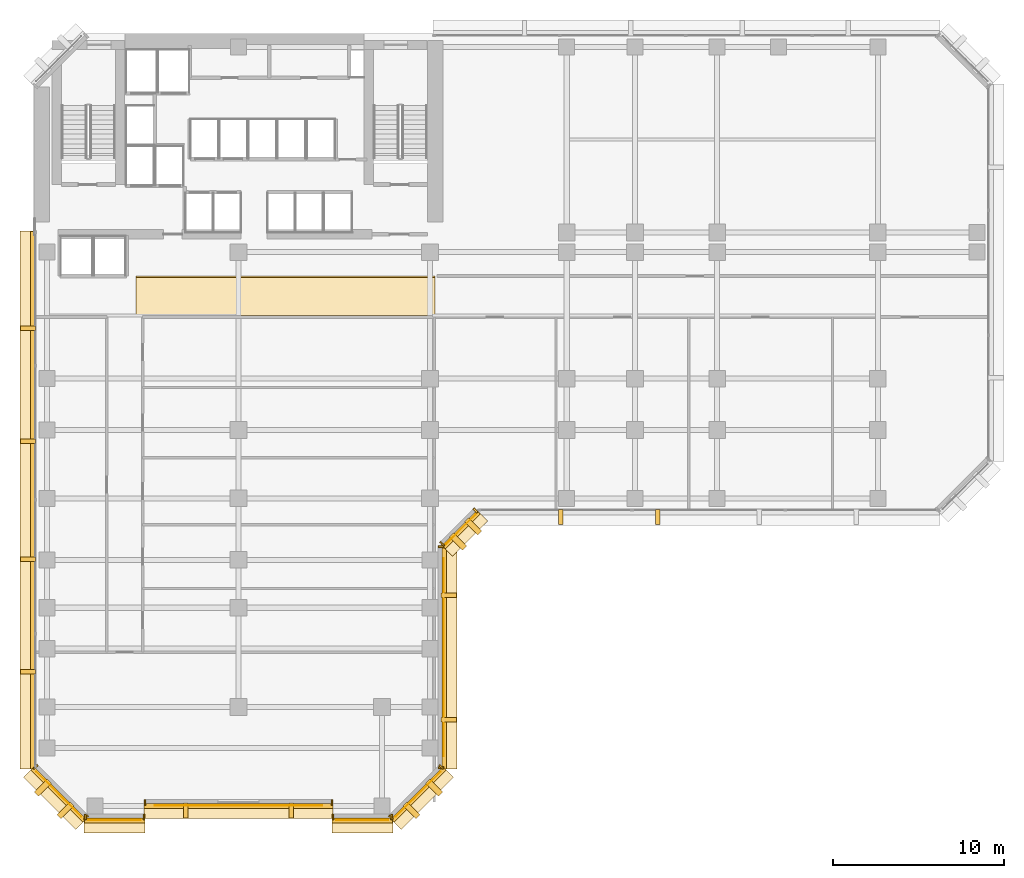
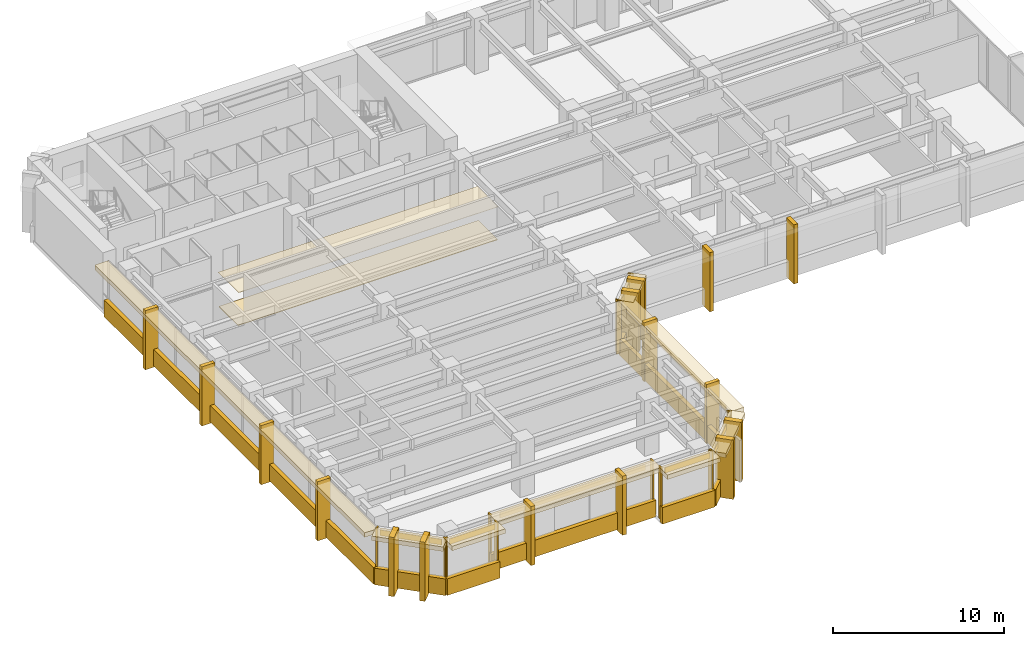
# One storey, part 9 of 13: 55 coverings.
"""IFC4 building model written with IfcOpenShell, lengths in metres."""

from ifc_helpers import new_model, si_unit, direction, frame, origin, origin_2d, place, context, subcontext, project, spatial, polyline, rectangle, outline, extrude, material, layer, layer_set, type_object, element, save


model = new_model("IFC4")

# Units and contexts
model_context = context("Model", 3, precision=1e-05, world=origin(), true_north=direction((0.0, 1.0)))
body_context = subcontext(model_context, "Body", "Model", "MODEL_VIEW")
ifc_project = project(units=[si_unit("LENGTHUNIT", "METRE"), si_unit("AREAUNIT", "SQUARE_METRE"), si_unit("VOLUMEUNIT", "CUBIC_METRE"), si_unit("PLANEANGLEUNIT", "RADIAN"), si_unit("MASSUNIT", "GRAM", prefix="KILO")], contexts=[model_context])

# Site, building, storey
site_placement = place(None, origin())
site = spatial("IfcSite", under=ifc_project, at=site_placement, CompositionType="ELEMENT")
building_placement = place(site_placement, origin())
building = spatial("IfcBuilding", under=site, at=building_placement, Name="Kefirva Bronze Tower", CompositionType="ELEMENT")
storey_placement = place(building_placement, frame((0.0, 0.0, 77.8798828125)))
storey = spatial("IfcBuildingStorey", under=building, at=storey_placement, Name="L18", CompositionType="ELEMENT", Elevation=77.8798828125)

# Coverings
ifc_material_1 = material(Name="Acoustic mineral tile")
ifc_layer_1 = layer(ifc_material_1, 0.02490234375, Name="Acoustic mineral tile")
ifc_layer_set_1 = layer_set([ifc_layer_1], Name="Acoustic mineral tile")
covering_type_1 = type_object("IfcCoveringType", Name="Acoustic Mineral Suspended Ceiling 25mm", PredefinedType="CEILING", material=ifc_layer_set_1)
covering_1_placement = place(storey_placement, frame((0.0, 0.0, 2.400146484375)))
element("IfcCovering", 1, at=covering_1_placement, inside=storey, type_object=covering_type_1, Name="L18 Corridor Acoustic Ceiling", PredefinedType="CEILING", context=body_context, shape_type="SweptSolid", body=[
    extrude(outline(polyline([(6.0, 29.39990234375), (23.5, 29.39990234375), (23.5, 31.800048828125), (6.0, 31.800048828125), (6.0, 29.39990234375)])), origin(), (0.0, 0.0, 1.0), 0.02490234375),
])
ifc_material_2 = material(Name="Bronze anodised aluminium", Category="aluminium")
ifc_layer_2 = layer(ifc_material_2, 0.02001953125, Name="Bronze anodised aluminium")
ifc_layer_set_2 = layer_set([ifc_layer_2], Name="Bronze anodised aluminium")
covering_type_2 = type_object("IfcCoveringType", Name="Anodised Bronze Spandrel Cladding 20mm", PredefinedType="CLADDING", material=ifc_layer_set_2)
covering_2_placement = place(storey_placement, frame((4.75, -0.010009765625, 3.290283203125), z_axis=(0.0, 0.0, 1.0), x_axis=(1.0, 0.0, 0.0)))
element("IfcCovering", 2, at=covering_2_placement, inside=storey, type_object=covering_type_2, Name="L18 Bronze Spandrel Cladding 1", PredefinedType="CLADDING", context=body_context, shape_type="SweptSolid", body=[
    extrude(rectangle(XDim=3.051025390625, YDim=0.02001953125, at=origin_2d()), origin(), (0.0, 0.0, 1.0), 0.39990234375),
])
for number, where, z_axis, x_axis, name in (
    (3, (3.034912109375, 0.159912109375, 0.000244140625), (0.0, 0.0, 1.0), (1.0, 0.0, 0.0), "L18 Facade Joint Closure Panel 1S"),
    (4, (6.465087890625, 0.159912109375, 0.000244140625), (0.0, 0.0, 1.0), (1.0, 0.0, 0.0), "L18 Facade Joint Closure Panel 1E"),
):
    element("IfcCovering", number, at=place(storey_placement, frame(where, z_axis=z_axis, x_axis=x_axis)), inside=storey, type_object=covering_type_2, Name=name, PredefinedType="CLADDING", context=body_context, shape_type="SweptSolid", body=[
        extrude(rectangle(XDim=0.10009765625, YDim=0.320068359375, at=origin_2d()), origin(), (0.0, 0.0, 1.0), 3.7099609375),
    ])
covering_3_placement = place(storey_placement, frame((4.75, -0.0400390625, -0.15966796875), z_axis=(0.0, 0.0, 1.0), x_axis=(1.0, 0.0, 0.0)))
element("IfcCovering", 5, at=covering_3_placement, inside=storey, type_object=covering_type_2, Name="L18 Streamline Horizontal Spandrel Band 0", PredefinedType="CLADDING", context=body_context, shape_type="SweptSolid", body=[
    extrude(rectangle(XDim=3.5400390625, YDim=0.280029296875, at=origin_2d()), origin(), (0.0, 0.0, 1.0), 1.179931640625),
])
covering_4_placement = place(storey_placement, frame((12.0, 0.840087890625, 3.290283203125), z_axis=(0.0, 0.0, 1.0), x_axis=(1.0, 0.0, 0.0)))
element("IfcCovering", 6, at=covering_4_placement, inside=storey, type_object=covering_type_2, Name="L18 Bronze Spandrel Cladding 2", PredefinedType="CLADDING", context=body_context, shape_type="SweptSolid", body=[
    extrude(rectangle(XDim=9.801025390625, YDim=0.02001953125, at=origin_2d()), origin(), (0.0, 0.0, 1.0), 0.39990234375),
])
for number, where, z_axis, x_axis, name in (
    (7, (6.534912109375, 1.010009765625, 0.000244140625), (0.0, 0.0, 1.0), (1.0, 0.0, 0.0), "L18 Facade Joint Closure Panel 2S"),
    (8, (17.465087890625, 1.010009765625, 0.000244140625), (0.0, 0.0, 1.0), (1.0, 0.0, 0.0), "L18 Facade Joint Closure Panel 2E"),
):
    element("IfcCovering", number, at=place(storey_placement, frame(where, z_axis=z_axis, x_axis=x_axis)), inside=storey, type_object=covering_type_2, Name=name, PredefinedType="CLADDING", context=body_context, shape_type="SweptSolid", body=[
        extrude(rectangle(XDim=0.10009765625, YDim=0.320068359375, at=origin_2d()), origin(), (0.0, 0.0, 1.0), 3.7099609375),
    ])
covering_5_placement = place(storey_placement, frame((12.0, 0.81005859375, -0.15966796875), z_axis=(0.0, 0.0, 1.0), x_axis=(1.0, 0.0, 0.0)))
element("IfcCovering", 9, at=covering_5_placement, inside=storey, type_object=covering_type_2, Name="L18 Streamline Horizontal Spandrel Band 2", PredefinedType="CLADDING", context=body_context, shape_type="SweptSolid", body=[
    extrude(rectangle(XDim=11.0400390625, YDim=0.280029296875, at=origin_2d()), origin(), (0.0, 0.0, 1.0), 1.179931640625),
])
covering_6_placement = place(storey_placement, frame((19.25, -0.010009765625, 3.290283203125), z_axis=(0.0, 0.0, 1.0), x_axis=(1.0, 0.0, 0.0)))
element("IfcCovering", 10, at=covering_6_placement, inside=storey, type_object=covering_type_2, Name="L18 Bronze Spandrel Cladding 3", PredefinedType="CLADDING", context=body_context, shape_type="SweptSolid", body=[
    extrude(rectangle(XDim=3.051025390625, YDim=0.02001953125, at=origin_2d()), origin(), (0.0, 0.0, 1.0), 0.39990234375),
])
for number, where, z_axis, x_axis, name in (
    (11, (17.534912109375, 0.159912109375, 0.000244140625), (0.0, 0.0, 1.0), (1.0, 0.0, 0.0), "L18 Facade Joint Closure Panel 3S"),
    (12, (20.965087890625, 0.159912109375, 0.000244140625), (0.0, 0.0, 1.0), (1.0, 0.0, 0.0), "L18 Facade Joint Closure Panel 3E"),
):
    element("IfcCovering", number, at=place(storey_placement, frame(where, z_axis=z_axis, x_axis=x_axis)), inside=storey, type_object=covering_type_2, Name=name, PredefinedType="CLADDING", context=body_context, shape_type="SweptSolid", body=[
        extrude(rectangle(XDim=0.10009765625, YDim=0.320068359375, at=origin_2d()), origin(), (0.0, 0.0, 1.0), 3.7099609375),
    ])
covering_7_placement = place(storey_placement, frame((19.25, -0.0400390625, -0.15966796875), z_axis=(0.0, 0.0, 1.0), x_axis=(1.0, 0.0, 0.0)))
element("IfcCovering", 13, at=covering_7_placement, inside=storey, type_object=covering_type_2, Name="L18 Streamline Horizontal Spandrel Band 4", PredefinedType="CLADDING", context=body_context, shape_type="SweptSolid", body=[
    extrude(rectangle(XDim=3.5400390625, YDim=0.280029296875, at=origin_2d()), origin(), (0.0, 0.0, 1.0), 1.179931640625),
])
covering_8_placement = place(storey_placement, frame((22.507080078125, 1.492919921875, 3.290283203125), z_axis=(0.0, 0.0, 1.0), x_axis=(0.707106781187, 0.707106781187, 0.0)))
element("IfcCovering", 14, at=covering_8_placement, inside=storey, type_object=covering_type_2, Name="L18 Bronze Spandrel Cladding 4", PredefinedType="CLADDING", context=body_context, shape_type="SweptSolid", body=[
    extrude(rectangle(XDim=3.719482421875, YDim=0.02001953125, at=origin_2d()), origin(), (0.0, 0.0, 1.0), 0.39990234375),
])
for number, where, z_axis, x_axis, name in (
    (15, (20.91162109375, 0.137939453125, 0.000244140625), (0.0, 0.0, 1.0), (0.707106781187, 0.707106781187, 0.0), "L18 Facade Joint Closure Panel 4S"),
    (16, (23.862060546875, 3.08837890625, 0.000244140625), (0.0, 0.0, 1.0), (0.707106781187, 0.707106781187, 0.0), "L18 Facade Joint Closure Panel 4E"),
):
    element("IfcCovering", number, at=place(storey_placement, frame(where, z_axis=z_axis, x_axis=x_axis)), inside=storey, type_object=covering_type_2, Name=name, PredefinedType="CLADDING", context=body_context, shape_type="SweptSolid", body=[
        extrude(rectangle(XDim=0.10009765625, YDim=0.320068359375, at=origin_2d()), origin(), (0.0, 0.0, 1.0), 3.7099609375),
    ])
covering_9_placement = place(storey_placement, frame((22.5283203125, 1.4716796875, -0.15966796875), z_axis=(0.0, 0.0, 1.0), x_axis=(0.707106781187, 0.707106781187, 0.0)))
element("IfcCovering", 17, at=covering_9_placement, inside=storey, type_object=covering_type_2, Name="L18 Streamline Horizontal Spandrel Band 5", PredefinedType="CLADDING", context=body_context, shape_type="SweptSolid", body=[
    extrude(rectangle(XDim=4.28271484375, YDim=0.280029296875, at=origin_2d()), origin(), (0.0, 0.0, 1.0), 1.179931640625),
])
covering_10_placement = place(storey_placement, frame((24.010009765625, 9.5, 3.290283203125), z_axis=(0.0, 0.0, 1.0), x_axis=(0.0, 1.0, 0.0)))
element("IfcCovering", 18, at=covering_10_placement, inside=storey, type_object=covering_type_2, Name="L18 Bronze Spandrel Cladding 5", PredefinedType="CLADDING", context=body_context, shape_type="SweptSolid", body=[
    extrude(rectangle(XDim=11.60107421875, YDim=0.02001953125, at=origin_2d()), origin(), (0.0, 0.0, 1.0), 0.39990234375),
])
for number, where, z_axis, x_axis, name in (
    (19, (23.840087890625, 3.034912109375, 0.000244140625), (0.0, 0.0, 1.0), (0.0, 1.0, 0.0), "L18 Facade Joint Closure Panel 5S"),
    (20, (23.840087890625, 15.965087890625, 0.000244140625), (0.0, 0.0, 1.0), (0.0, 1.0, 0.0), "L18 Facade Joint Closure Panel 5E"),
):
    element("IfcCovering", number, at=place(storey_placement, frame(where, z_axis=z_axis, x_axis=x_axis)), inside=storey, type_object=covering_type_2, Name=name, PredefinedType="CLADDING", context=body_context, shape_type="SweptSolid", body=[
        extrude(rectangle(XDim=0.10009765625, YDim=0.320068359375, at=origin_2d()), origin(), (0.0, 0.0, 1.0), 3.7099609375),
    ])
covering_11_placement = place(storey_placement, frame((24.0400390625, 9.5, -0.15966796875), z_axis=(0.0, 0.0, 1.0), x_axis=(0.0, 1.0, 0.0)))
element("IfcCovering", 21, at=covering_11_placement, inside=storey, type_object=covering_type_2, Name="L18 Streamline Horizontal Spandrel Band 6", PredefinedType="CLADDING", context=body_context, shape_type="SweptSolid", body=[
    extrude(rectangle(XDim=13.0400390625, YDim=0.280029296875, at=origin_2d()), origin(), (0.0, 0.0, 1.0), 1.179931640625),
])
covering_12_placement = place(storey_placement, frame((25.007080078125, 16.992919921875, 3.290283203125), z_axis=(0.0, 0.0, 1.0), x_axis=(0.707106781187, 0.707106781187, 0.0)))
element("IfcCovering", 22, at=covering_12_placement, inside=storey, type_object=covering_type_2, Name="L18 Bronze Spandrel Cladding 6", PredefinedType="CLADDING", context=body_context, shape_type="SweptSolid", body=[
    extrude(rectangle(XDim=2.446533203125, YDim=0.02001953125, at=origin_2d()), origin(), (0.0, 0.0, 1.0), 0.39990234375),
])
for number, where, z_axis, x_axis, name in (
    (23, (23.91162109375, 16.137939453125, 0.000244140625), (0.0, 0.0, 1.0), (0.707106781187, 0.707106781187, 0.0), "L18 Facade Joint Closure Panel 6S"),
    (24, (25.862060546875, 18.08837890625, 0.000244140625), (0.0, 0.0, 1.0), (0.707106781187, 0.707106781187, 0.0), "L18 Facade Joint Closure Panel 6E"),
):
    element("IfcCovering", number, at=place(storey_placement, frame(where, z_axis=z_axis, x_axis=x_axis)), inside=storey, type_object=covering_type_2, Name=name, PredefinedType="CLADDING", context=body_context, shape_type="SweptSolid", body=[
        extrude(rectangle(XDim=0.10009765625, YDim=0.320068359375, at=origin_2d()), origin(), (0.0, 0.0, 1.0), 3.7099609375),
    ])
covering_13_placement = place(storey_placement, frame((25.0283203125, 16.9716796875, -0.15966796875), z_axis=(0.0, 0.0, 1.0), x_axis=(0.707106781187, 0.707106781187, 0.0)))
element("IfcCovering", 25, at=covering_13_placement, inside=storey, type_object=covering_type_2, Name="L18 Streamline Horizontal Spandrel Band 7", PredefinedType="CLADDING", context=body_context, shape_type="SweptSolid", body=[
    extrude(rectangle(XDim=2.868408203125, YDim=0.280029296875, at=origin_2d()), origin(), (0.0, 0.0, 1.0), 1.179931640625),
])
covering_14_placement = place(storey_placement, frame((-0.0400390625, 18.697509765625, -0.15966796875), z_axis=(0.0, 0.0, 1.0), x_axis=(0.0, -1.0, 0.0)))
element("IfcCovering", 26, at=covering_14_placement, inside=storey, type_object=covering_type_2, Name="L18 Streamline Horizontal Spandrel Band 14", PredefinedType="CLADDING", context=body_context, shape_type="SweptSolid", body=[
    extrude(rectangle(XDim=31.43505859375, YDim=0.280029296875, at=origin_2d()), origin(), (0.0, 0.0, 1.0), 1.179931640625),
])
covering_15_placement = place(storey_placement, frame((1.492919921875, 1.492919921875, 3.290283203125), z_axis=(0.0, 0.0, 1.0), x_axis=(0.707106781187, -0.707106781187, 0.0)))
element("IfcCovering", 27, at=covering_15_placement, inside=storey, type_object=covering_type_2, Name="L18 Bronze Spandrel Cladding 10", PredefinedType="CLADDING", context=body_context, shape_type="SweptSolid", body=[
    extrude(rectangle(XDim=3.719482421875, YDim=0.02001953125, at=origin_2d()), origin(), (0.0, 0.0, 1.0), 0.39990234375),
])
for number, where, z_axis, x_axis, name in (
    (28, (0.137939453125, 3.08837890625, 0.000244140625), (0.0, 0.0, 1.0), (0.707106781187, -0.707106781187, 0.0), "L18 Facade Joint Closure Panel 10S"),
    (29, (3.08837890625, 0.137939453125, 0.000244140625), (0.0, 0.0, 1.0), (0.707106781187, -0.707106781187, 0.0), "L18 Facade Joint Closure Panel 10E"),
):
    element("IfcCovering", number, at=place(storey_placement, frame(where, z_axis=z_axis, x_axis=x_axis)), inside=storey, type_object=covering_type_2, Name=name, PredefinedType="CLADDING", context=body_context, shape_type="SweptSolid", body=[
        extrude(rectangle(XDim=0.10009765625, YDim=0.320068359375, at=origin_2d()), origin(), (0.0, 0.0, 1.0), 3.7099609375),
    ])
covering_16_placement = place(storey_placement, frame((1.4716796875, 1.4716796875, -0.15966796875), z_axis=(0.0, 0.0, 1.0), x_axis=(0.707106781187, -0.707106781187, 0.0)))
element("IfcCovering", 30, at=covering_16_placement, inside=storey, type_object=covering_type_2, Name="L18 Streamline Horizontal Spandrel Band 15", PredefinedType="CLADDING", context=body_context, shape_type="SweptSolid", body=[
    extrude(rectangle(XDim=4.28271484375, YDim=0.280029296875, at=origin_2d()), origin(), (0.0, 0.0, 1.0), 1.179931640625),
])
ifc_material_3 = material(Name="Calcium sulphate access tile")
ifc_layer_3 = layer(ifc_material_3, 0.044921875, Name="Calcium sulphate access tile")
ifc_layer_set_3 = layer_set([ifc_layer_3], Name="Calcium sulphate access tile")
covering_type_3 = type_object("IfcCoveringType", Name="Raised Access Office Flooring 45mm", PredefinedType="FLOORING", material=ifc_layer_set_3)
covering_17_placement = place(storey_placement, origin())
element("IfcCovering", 31, at=covering_17_placement, inside=storey, type_object=covering_type_3, Name="L18 Architectural Finish Flooring", PredefinedType="FLOORING", context=body_context, shape_type="SweptSolid", body=[
    extrude(outline(polyline([(6.0, 29.47998046875), (23.5, 29.47998046875), (23.5, 31.719970703125), (6.0, 31.719970703125), (6.0, 29.47998046875)])), origin(), (0.0, 0.0, 1.0), 0.045166015625),
])
ifc_layer_4 = layer(ifc_material_2, 0.179931640625, Name="Bronze anodised aluminium")
ifc_layer_set_4 = layer_set([ifc_layer_4], Name="Bronze anodised aluminium")
covering_type_4 = type_object("IfcCoveringType", Name="Streamline Bronze Sunshade Eyebrow Cladding 180mm", PredefinedType="CLADDING", material=ifc_layer_set_4)
covering_18_placement = place(storey_placement, frame((4.75, -0.31005859375, 3.39013671875), z_axis=(0.0, 0.0, 1.0), x_axis=(1.0, 0.0, 0.0)))
element("IfcCovering", 32, at=covering_18_placement, inside=storey, type_object=covering_type_4, Name="L18 Streamline Bronze Sunshade Eyebrow 0", PredefinedType="CLADDING", context=body_context, shape_type="SweptSolid", body=[
    extrude(rectangle(XDim=3.580078125, YDim=0.93994140625, at=origin_2d()), origin(), (0.0, 0.0, 1.0), 0.320068359375),
])
covering_19_placement = place(storey_placement, frame((12.0, 0.5400390625, 3.39013671875), z_axis=(0.0, 0.0, 1.0), x_axis=(1.0, 0.0, 0.0)))
element("IfcCovering", 33, at=covering_19_placement, inside=storey, type_object=covering_type_4, Name="L18 Streamline Bronze Sunshade Eyebrow 2", PredefinedType="CLADDING", context=body_context, shape_type="SweptSolid", body=[
    extrude(rectangle(XDim=11.080078125, YDim=0.93994140625, at=origin_2d()), origin(), (0.0, 0.0, 1.0), 0.320068359375),
])
covering_20_placement = place(storey_placement, frame((19.25, -0.31005859375, 3.39013671875), z_axis=(0.0, 0.0, 1.0), x_axis=(1.0, 0.0, 0.0)))
element("IfcCovering", 34, at=covering_20_placement, inside=storey, type_object=covering_type_4, Name="L18 Streamline Bronze Sunshade Eyebrow 4", PredefinedType="CLADDING", context=body_context, shape_type="SweptSolid", body=[
    extrude(rectangle(XDim=3.580078125, YDim=0.93994140625, at=origin_2d()), origin(), (0.0, 0.0, 1.0), 0.320068359375),
])
covering_21_placement = place(storey_placement, frame((22.71923828125, 1.28076171875, 3.39013671875), z_axis=(0.0, 0.0, 1.0), x_axis=(0.707106781187, 0.707106781187, 0.0)))
element("IfcCovering", 35, at=covering_21_placement, inside=storey, type_object=covering_type_4, Name="L18 Streamline Bronze Sunshade Eyebrow 5", PredefinedType="CLADDING", context=body_context, shape_type="SweptSolid", body=[
    extrude(rectangle(XDim=4.322509765625, YDim=0.93994140625, at=origin_2d()), origin(), (0.0, 0.0, 1.0), 0.320068359375),
])
covering_22_placement = place(storey_placement, frame((24.31005859375, 9.5, 3.39013671875), z_axis=(0.0, 0.0, 1.0), x_axis=(0.0, 1.0, 0.0)))
element("IfcCovering", 36, at=covering_22_placement, inside=storey, type_object=covering_type_4, Name="L18 Streamline Bronze Sunshade Eyebrow 6", PredefinedType="CLADDING", context=body_context, shape_type="SweptSolid", body=[
    extrude(rectangle(XDim=13.080078125, YDim=0.93994140625, at=origin_2d()), origin(), (0.0, 0.0, 1.0), 0.320068359375),
])
covering_23_placement = place(storey_placement, frame((25.21923828125, 16.78076171875, 3.39013671875), z_axis=(0.0, 0.0, 1.0), x_axis=(0.707106781187, 0.707106781187, 0.0)))
element("IfcCovering", 37, at=covering_23_placement, inside=storey, type_object=covering_type_4, Name="L18 Streamline Bronze Sunshade Eyebrow 7", PredefinedType="CLADDING", context=body_context, shape_type="SweptSolid", body=[
    extrude(rectangle(XDim=2.908447265625, YDim=0.93994140625, at=origin_2d()), origin(), (0.0, 0.0, 1.0), 0.320068359375),
])
covering_24_placement = place(storey_placement, frame((-0.31005859375, 18.697509765625, 3.39013671875), z_axis=(0.0, 0.0, 1.0), x_axis=(0.0, -1.0, 0.0)))
element("IfcCovering", 38, at=covering_24_placement, inside=storey, type_object=covering_type_4, Name="L18 Streamline Bronze Sunshade Eyebrow 14", PredefinedType="CLADDING", context=body_context, shape_type="SweptSolid", body=[
    extrude(rectangle(XDim=31.47509765625, YDim=0.93994140625, at=origin_2d()), origin(), (0.0, 0.0, 1.0), 0.320068359375),
])
covering_25_placement = place(storey_placement, frame((1.28076171875, 1.28076171875, 3.39013671875), z_axis=(0.0, 0.0, 1.0), x_axis=(0.707106781187, -0.707106781187, 0.0)))
element("IfcCovering", 39, at=covering_25_placement, inside=storey, type_object=covering_type_4, Name="L18 Streamline Bronze Sunshade Eyebrow 15", PredefinedType="CLADDING", context=body_context, shape_type="SweptSolid", body=[
    extrude(rectangle(XDim=4.322509765625, YDim=0.93994140625, at=origin_2d()), origin(), (0.0, 0.0, 1.0), 0.320068359375),
])
ifc_layer_5 = layer(ifc_material_2, 0.260009765625, Name="Bronze anodised aluminium")
ifc_layer_set_5 = layer_set([ifc_layer_5], Name="Bronze anodised aluminium")
covering_type_5 = type_object("IfcCoveringType", Name="Unbroken Bronze Buttress Fin Cladding 260mm", PredefinedType="CLADDING", material=ifc_layer_set_5)
for number, where, z_axis, x_axis, name in (
    (40, (8.919921875, 0.550048828125, -0.249755859375), (0.0, 0.0, 1.0), (1.0, 0.0, 0.0), "L18 Unbroken Vertical Bronze Rib Fin 1"),
    (41, (15.080078125, 0.550048828125, -0.249755859375), (0.0, 0.0, 1.0), (1.0, 0.0, 0.0), "L18 Unbroken Vertical Bronze Rib Fin 2"),
):
    element("IfcCovering", number, at=place(storey_placement, frame(where, z_axis=z_axis, x_axis=x_axis)), inside=storey, type_object=covering_type_5, Name=name, PredefinedType="CLADDING", context=body_context, shape_type="SweptSolid", body=[
        extrude(rectangle(XDim=0.260009765625, YDim=0.8798828125, at=origin_2d()), origin(), (0.0, 0.0, 1.0), 4.2099609375),
    ])
for number, where, z_axis, x_axis, name in (
    (42, (22.122802734375, 0.55712890625, -0.249755859375), (0.0, 0.0, 1.0), (0.707106781187, 0.707106781187, 0.0), "L18 Chamfered Corner Buttress Fin Cladding 3"),
    (43, (23.44287109375, 1.877197265625, -0.249755859375), (0.0, 0.0, 1.0), (0.707106781187, 0.707106781187, 0.0), "L18 Chamfered Corner Buttress Fin Cladding 4"),
):
    element("IfcCovering", number, at=place(storey_placement, frame(where, z_axis=z_axis, x_axis=x_axis)), inside=storey, type_object=covering_type_5, Name=name, PredefinedType="CLADDING", context=body_context, shape_type="SweptSolid", body=[
        extrude(rectangle(XDim=0.340087890625, YDim=1.080078125, at=origin_2d()), origin(), (0.0, 0.0, 1.0), 4.2099609375),
    ])
for number, where, z_axis, x_axis, name in (
    (44, (24.300048828125, 5.860107421875, -0.249755859375), (0.0, 0.0, 1.0), (0.0, 1.0, 0.0), "L18 Unbroken Vertical Bronze Rib Fin 5"),
    (45, (24.300048828125, 13.139892578125, -0.249755859375), (0.0, 0.0, 1.0), (0.0, 1.0, 0.0), "L18 Unbroken Vertical Bronze Rib Fin 6"),
):
    element("IfcCovering", number, at=place(storey_placement, frame(where, z_axis=z_axis, x_axis=x_axis)), inside=storey, type_object=covering_type_5, Name=name, PredefinedType="CLADDING", context=body_context, shape_type="SweptSolid", body=[
        extrude(rectangle(XDim=0.260009765625, YDim=0.8798828125, at=origin_2d()), origin(), (0.0, 0.0, 1.0), 4.2099609375),
    ])
for number, where, z_axis, x_axis, name in (
    (46, (24.8427734375, 16.277099609375, -0.249755859375), (0.0, 0.0, 1.0), (0.707106781187, 0.707106781187, 0.0), "L18 Chamfered Corner Buttress Fin Cladding 7"),
    (47, (25.722900390625, 17.1572265625, -0.249755859375), (0.0, 0.0, 1.0), (0.707106781187, 0.707106781187, 0.0), "L18 Chamfered Corner Buttress Fin Cladding 8"),
):
    element("IfcCovering", number, at=place(storey_placement, frame(where, z_axis=z_axis, x_axis=x_axis)), inside=storey, type_object=covering_type_5, Name=name, PredefinedType="CLADDING", context=body_context, shape_type="SweptSolid", body=[
        extrude(rectangle(XDim=0.340087890625, YDim=1.080078125, at=origin_2d()), origin(), (0.0, 0.0, 1.0), 4.2099609375),
    ])
for number, where, z_axis, x_axis, name in (
    (48, (30.860107421875, 17.699951171875, -0.249755859375), (0.0, 0.0, 1.0), (1.0, 0.0, 0.0), "L18 Unbroken Vertical Bronze Rib Fin 9"),
    (49, (36.530029296875, 17.699951171875, -0.249755859375), (0.0, 0.0, 1.0), (1.0, 0.0, 0.0), "L18 Unbroken Vertical Bronze Rib Fin 10"),
    (50, (-0.300048828125, 28.743896484375, -0.249755859375), (0.0, 0.0, 1.0), (0.0, -1.0, 0.0), "L18 Unbroken Vertical Bronze Rib Fin 25"),
    (51, (-0.300048828125, 22.15087890625, -0.249755859375), (0.0, 0.0, 1.0), (0.0, -1.0, 0.0), "L18 Unbroken Vertical Bronze Rib Fin 26"),
    (52, (-0.300048828125, 15.244140625, -0.249755859375), (0.0, 0.0, 1.0), (0.0, -1.0, 0.0), "L18 Unbroken Vertical Bronze Rib Fin 27"),
    (53, (-0.300048828125, 8.651123046875, -0.249755859375), (0.0, 0.0, 1.0), (0.0, -1.0, 0.0), "L18 Unbroken Vertical Bronze Rib Fin 28"),
):
    element("IfcCovering", number, at=place(storey_placement, frame(where, z_axis=z_axis, x_axis=x_axis)), inside=storey, type_object=covering_type_5, Name=name, PredefinedType="CLADDING", context=body_context, shape_type="SweptSolid", body=[
        extrude(rectangle(XDim=0.260009765625, YDim=0.8798828125, at=origin_2d()), origin(), (0.0, 0.0, 1.0), 4.2099609375),
    ])
for number, where, z_axis, x_axis, name in (
    (54, (0.55712890625, 1.877197265625, -0.249755859375), (0.0, 0.0, 1.0), (0.707106781187, -0.707106781187, 0.0), "L18 Chamfered Corner Buttress Fin Cladding 29"),
    (55, (1.877197265625, 0.55712890625, -0.249755859375), (0.0, 0.0, 1.0), (0.707106781187, -0.707106781187, 0.0), "L18 Chamfered Corner Buttress Fin Cladding 30"),
):
    element("IfcCovering", number, at=place(storey_placement, frame(where, z_axis=z_axis, x_axis=x_axis)), inside=storey, type_object=covering_type_5, Name=name, PredefinedType="CLADDING", context=body_context, shape_type="SweptSolid", body=[
        extrude(rectangle(XDim=0.340087890625, YDim=1.080078125, at=origin_2d()), origin(), (0.0, 0.0, 1.0), 4.2099609375),
    ])

save(model, "model.ifc")
